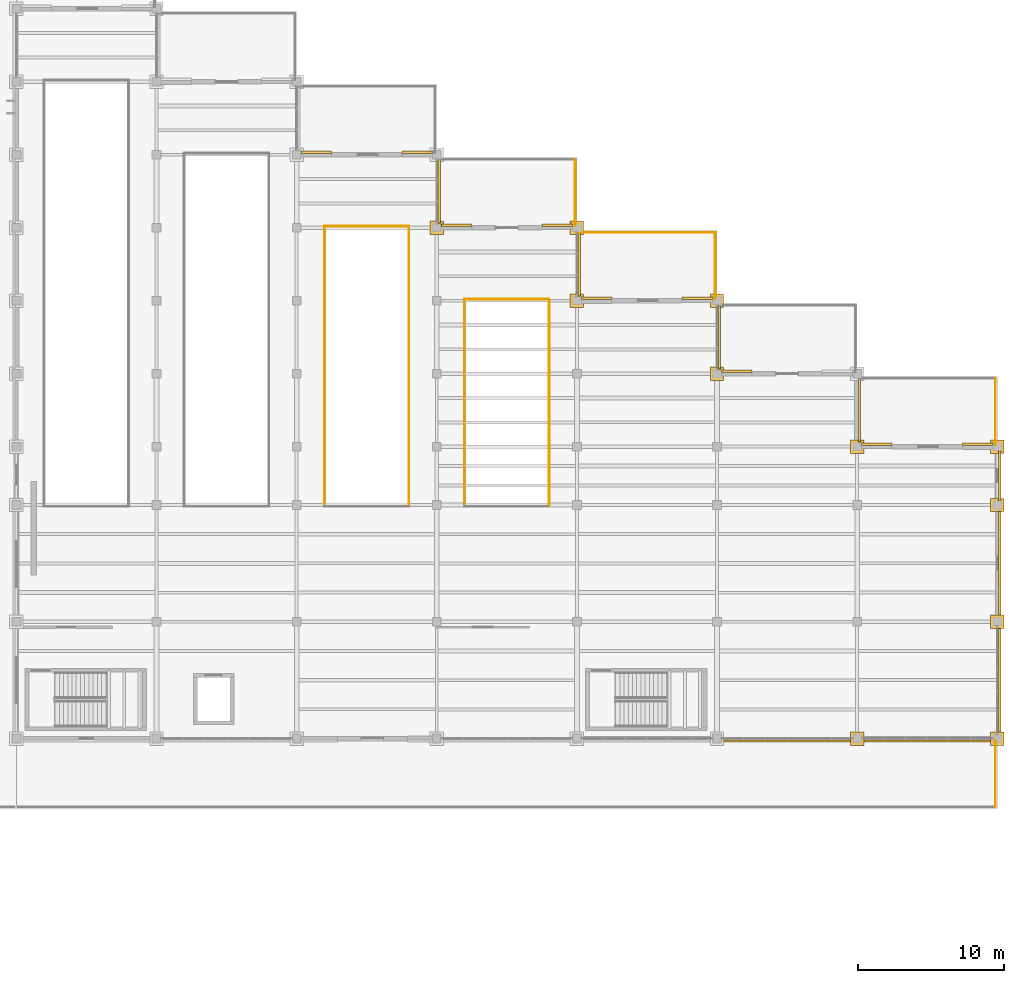
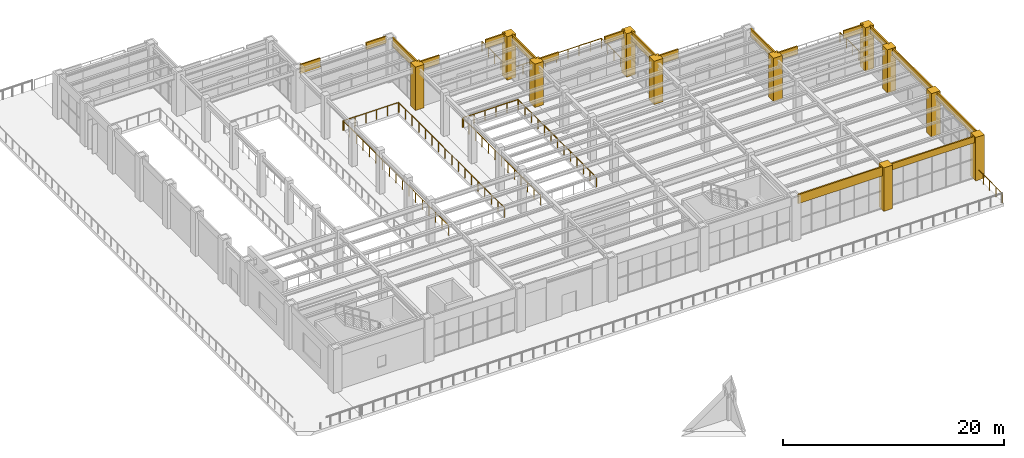
# One storey, part 82 of 83: 29 coverings, 11 railings.
"""IFC4 building model written with IfcOpenShell, lengths in metres."""

from ifc_helpers import new_model, si_unit, direction, frame, origin, origin_2d, place, context, subcontext, project, spatial, polyline, circle, outline, extrude, material, layer, layer_set, type_object, element, save


model = new_model("IFC4")

# Units and contexts
model_context = context("Model", 3, precision=1e-05, world=origin(), true_north=direction((0.0, 1.0)))
body_context = subcontext(model_context, "Body", "Model", "MODEL_VIEW")
ifc_project = project(units=[si_unit("LENGTHUNIT", "METRE"), si_unit("AREAUNIT", "SQUARE_METRE"), si_unit("VOLUMEUNIT", "CUBIC_METRE"), si_unit("PLANEANGLEUNIT", "RADIAN"), si_unit("MASSUNIT", "GRAM", prefix="KILO")], contexts=[model_context])

# Site, building, storey
site_placement = place(None, origin())
site = spatial("IfcSite", under=ifc_project, at=site_placement, CompositionType="ELEMENT")
building_placement = place(site_placement, origin())
building = spatial("IfcBuilding", under=site, at=building_placement, Name="Mavantir Sound Aquarium", CompositionType="ELEMENT")
storey_placement = place(building_placement, frame((0.0, 0.0, 10.5)))
storey = spatial("IfcBuildingStorey", under=building, at=storey_placement, Name="L02", CompositionType="ELEMENT", Elevation=10.5)

# Coverings
ifc_material_1 = material(Name="Honed Coral-Limestone & Glazed Terracotta Rainscreen Cladding", Category="masonry")
ifc_layer = layer(ifc_material_1, 0.06005859375, Name="Honed Coral-Limestone & Glazed Terracotta Rainscreen Cladding")
ifc_layer_set = layer_set([ifc_layer], Name="Honed Coral-Limestone & Glazed Terracotta Rainscreen Cladding")
covering_type = type_object("IfcCoveringType", Name="COV-CLAD-TC", PredefinedType="CLADDING", material=ifc_layer_set)
covering_1_placement = place(storey_placement, frame((0.0, 0.0, 3.93701171875)))
element("IfcCovering", 1, at=covering_1_placement, inside=storey, type_object=covering_type, Name="L02 Postmodern coral-limestone spandrel frieze 337", PredefinedType="CLADDING", context=body_context, shape_type="SweptSolid", body=[
    extrude(outline(polyline([(174.89208984375, 60.889892578125), (172.804931640625, 60.889892578125), (172.804931640625, 61.0400390625), (174.89208984375, 61.0400390625), (174.89208984375, 60.889892578125)])), origin(), (0.0, 0.0, 1.0), 0.863037109375),
])
covering_2_placement = place(storey_placement, frame((0.0, 0.0, 3.93701171875)))
element("IfcCovering", 2, at=covering_2_placement, inside=storey, type_object=covering_type, Name="L02 Postmodern coral-limestone spandrel frieze 338", PredefinedType="CLADDING", context=body_context, shape_type="SweptSolid", body=[
    extrude(outline(polyline([(167.9951171875, 60.889892578125), (165.907958984375, 60.889892578125), (165.907958984375, 61.0400390625), (167.9951171875, 61.0400390625), (167.9951171875, 60.889892578125)])), origin(), (0.0, 0.0, 1.0), 0.863037109375),
])
covering_3_placement = place(storey_placement, frame((0.0, 0.0, 3.93701171875)))
element("IfcCovering", 3, at=covering_3_placement, inside=storey, type_object=covering_type, Name="L02 Postmodern coral-limestone spandrel frieze 339", PredefinedType="CLADDING", context=body_context, shape_type="SweptSolid", body=[
    extrude(outline(polyline([(165.68994140625, 61.10791015625), (165.68994140625, 65.491943359375), (165.840087890625, 65.491943359375), (165.840087890625, 61.10791015625), (165.68994140625, 61.10791015625)])), origin(), (0.0, 0.0, 1.0), 0.863037109375),
])
covering_4_placement = place(storey_placement, frame((0.0, 0.0, 3.794921875)))
element("IfcCovering", 4, at=covering_4_placement, inside=storey, type_object=covering_type, Name="L02 Postmodern coral-limestone spandrel frieze 341", PredefinedType="CLADDING", context=body_context, shape_type="SweptSolid", body=[
    extrude(outline(polyline([(158.39501953125, 65.889892578125), (156.30810546875, 65.889892578125), (156.30810546875, 66.0400390625), (158.39501953125, 66.0400390625), (158.39501953125, 65.889892578125)])), origin(), (0.0, 0.0, 1.0), 1.005126953125),
])
covering_5_placement = place(storey_placement, frame((0.0, 0.0, 3.7939453125)))
element("IfcCovering", 5, at=covering_5_placement, inside=storey, type_object=covering_type, Name="L02 Postmodern coral-limestone spandrel frieze 342", PredefinedType="CLADDING", context=body_context, shape_type="SweptSolid", body=[
    extrude(outline(polyline([(156.090087890625, 66.10791015625), (156.090087890625, 70.491943359375), (156.239990234375, 70.491943359375), (156.239990234375, 66.10791015625), (156.090087890625, 66.10791015625)])), origin(), (0.0, 0.0, 1.0), 1.006103515625),
])
covering_6_placement = place(storey_placement, frame((0.0, 0.0, 4.04296875)))
element("IfcCovering", 6, at=covering_6_placement, inside=storey, type_object=covering_type, Name="L02 Postmodern coral-limestone spandrel frieze 343", PredefinedType="CLADDING", context=body_context, shape_type="SweptSolid", body=[
    extrude(outline(polyline([(155.69189453125, 70.889892578125), (153.60498046875, 70.889892578125), (153.60498046875, 71.0400390625), (155.69189453125, 71.0400390625), (155.69189453125, 70.889892578125)])), origin(), (0.0, 0.0, 1.0), 0.757080078125),
])
covering_7_placement = place(storey_placement, frame((0.0, 0.0, 4.04296875)))
element("IfcCovering", 7, at=covering_7_placement, inside=storey, type_object=covering_type, Name="L02 Postmodern coral-limestone spandrel frieze 344", PredefinedType="CLADDING", context=body_context, shape_type="SweptSolid", body=[
    extrude(outline(polyline([(148.794921875, 70.889892578125), (146.7080078125, 70.889892578125), (146.7080078125, 71.0400390625), (148.794921875, 71.0400390625), (148.794921875, 70.889892578125)])), origin(), (0.0, 0.0, 1.0), 0.757080078125),
])
covering_8_placement = place(storey_placement, frame((0.0, 0.0, 3.93701171875)))
element("IfcCovering", 8, at=covering_8_placement, inside=storey, type_object=covering_type, Name="L02 Postmodern coral-limestone spandrel frieze 345", PredefinedType="CLADDING", context=body_context, shape_type="SweptSolid", body=[
    extrude(outline(polyline([(146.489990234375, 71.10791015625), (146.489990234375, 75.491943359375), (146.639892578125, 75.491943359375), (146.639892578125, 71.10791015625), (146.489990234375, 71.10791015625)])), origin(), (0.0, 0.0, 1.0), 0.863037109375),
])
covering_9_placement = place(storey_placement, frame((0.0, 0.0, 3.862060546875)))
element("IfcCovering", 9, at=covering_9_placement, inside=storey, type_object=covering_type, Name="L02 Postmodern coral-limestone spandrel frieze 346", PredefinedType="CLADDING", context=body_context, shape_type="SweptSolid", body=[
    extrude(outline(polyline([(146.092041015625, 75.889892578125), (144.0048828125, 75.889892578125), (144.0048828125, 76.0400390625), (146.092041015625, 76.0400390625), (146.092041015625, 75.889892578125)])), origin(), (0.0, 0.0, 1.0), 0.93798828125),
])
covering_10_placement = place(storey_placement, frame((0.0, 0.0, 3.862060546875)))
element("IfcCovering", 10, at=covering_10_placement, inside=storey, type_object=covering_type, Name="L02 Postmodern coral-limestone spandrel frieze 347", PredefinedType="CLADDING", context=body_context, shape_type="SweptSolid", body=[
    extrude(outline(polyline([(139.195068359375, 75.889892578125), (137.10791015625, 75.889892578125), (137.10791015625, 76.0400390625), (139.195068359375, 76.0400390625), (139.195068359375, 75.889892578125)])), origin(), (0.0, 0.0, 1.0), 0.93798828125),
])
covering_11_placement = place(storey_placement, frame((0.0, 0.0, 3.7939453125)))
element("IfcCovering", 11, at=covering_11_placement, inside=storey, type_object=covering_type, Name="L02 Postmodern coral-limestone spandrel frieze 348", PredefinedType="CLADDING", context=body_context, shape_type="SweptSolid", body=[
    extrude(outline(polyline([(136.889892578125, 76.10791015625), (136.889892578125, 80.491943359375), (137.0400390625, 80.491943359375), (137.0400390625, 76.10791015625), (136.889892578125, 76.10791015625)])), origin(), (0.0, 0.0, 1.0), 1.006103515625),
])
covering_12_placement = place(storey_placement, frame((0.0, 0.0, 4.04296875)))
element("IfcCovering", 12, at=covering_12_placement, inside=storey, type_object=covering_type, Name="L02 Postmodern coral-limestone spandrel frieze 349", PredefinedType="CLADDING", context=body_context, shape_type="SweptSolid", body=[
    extrude(outline(polyline([(136.491943359375, 80.889892578125), (134.405029296875, 80.889892578125), (134.405029296875, 81.0400390625), (136.491943359375, 81.0400390625), (136.491943359375, 80.889892578125)])), origin(), (0.0, 0.0, 1.0), 0.757080078125),
])
covering_13_placement = place(storey_placement, frame((0.0, 0.0, 3.794921875)))
element("IfcCovering", 13, at=covering_13_placement, inside=storey, type_object=covering_type, Name="L02 Postmodern coral-limestone spandrel frieze 350", PredefinedType="CLADDING", context=body_context, shape_type="SweptSolid", body=[
    extrude(outline(polyline([(129.594970703125, 80.889892578125), (127.508056640625, 80.889892578125), (127.508056640625, 81.0400390625), (129.594970703125, 81.0400390625), (129.594970703125, 80.889892578125)])), origin(), (0.0, 0.0, 1.0), 1.005126953125),
])
covering_14_placement = place(storey_placement, frame((0.0, 0.0, 3.794921875)))
element("IfcCovering", 14, at=covering_14_placement, inside=storey, type_object=covering_type, Name="L02 Postmodern coral-limestone spandrel frieze 371", PredefinedType="CLADDING", context=body_context, shape_type="SweptSolid", body=[
    extrude(outline(polyline([(156.30810546875, 40.7099609375), (165.2919921875, 40.7099609375), (165.2919921875, 40.56005859375), (156.30810546875, 40.56005859375), (156.30810546875, 40.7099609375)])), origin(), (0.0, 0.0, 1.0), 1.005126953125),
])
covering_15_placement = place(storey_placement, frame((0.0, 0.0, 4.097900390625)))
element("IfcCovering", 15, at=covering_15_placement, inside=storey, type_object=covering_type, Name="L02 Postmodern coral-limestone spandrel frieze 372", PredefinedType="CLADDING", context=body_context, shape_type="SweptSolid", body=[
    extrude(outline(polyline([(165.907958984375, 40.7099609375), (174.89208984375, 40.7099609375), (174.89208984375, 40.56005859375), (165.907958984375, 40.56005859375), (165.907958984375, 40.7099609375)])), origin(), (0.0, 0.0, 1.0), 0.7021484375),
])
covering_16_placement = place(storey_placement, frame((0.0, 0.0, 3.989013671875)))
element("IfcCovering", 16, at=covering_16_placement, inside=storey, type_object=covering_type, Name="L02 Postmodern coral-limestone spandrel frieze 373", PredefinedType="CLADDING", context=body_context, shape_type="SweptSolid", body=[
    extrude(outline(polyline([(175.2900390625, 41.10791015625), (175.2900390625, 48.491943359375), (175.43994140625, 48.491943359375), (175.43994140625, 41.10791015625), (175.2900390625, 41.10791015625)])), origin(), (0.0, 0.0, 1.0), 0.81103515625),
])
covering_17_placement = place(storey_placement, frame((0.0, 0.0, 3.989013671875)))
element("IfcCovering", 17, at=covering_17_placement, inside=storey, type_object=covering_type, Name="L02 Postmodern coral-limestone spandrel frieze 374", PredefinedType="CLADDING", context=body_context, shape_type="SweptSolid", body=[
    extrude(outline(polyline([(175.2900390625, 49.10791015625), (175.2900390625, 56.491943359375), (175.43994140625, 56.491943359375), (175.43994140625, 49.10791015625), (175.2900390625, 49.10791015625)])), origin(), (0.0, 0.0, 1.0), 0.81103515625),
])
covering_18_placement = place(storey_placement, frame((0.0, 0.0, 3.989013671875)))
element("IfcCovering", 18, at=covering_18_placement, inside=storey, type_object=covering_type, Name="L02 Postmodern coral-limestone spandrel frieze 375", PredefinedType="CLADDING", context=body_context, shape_type="SweptSolid", body=[
    extrude(outline(polyline([(175.2900390625, 57.10791015625), (175.2900390625, 60.491943359375), (175.43994140625, 60.491943359375), (175.43994140625, 57.10791015625), (175.2900390625, 57.10791015625)])), origin(), (0.0, 0.0, 1.0), 0.81103515625),
])
covering_19_placement = place(storey_placement, origin())
element("IfcCovering", 19, at=covering_19_placement, inside=storey, type_object=covering_type, Name="L02 Postmodern coral-limestone pilaster casing 279", PredefinedType="CLADDING", context=body_context, shape_type="SweptSolid", body=[
    extrude(outline(polyline([(136.340087890625, 75.340087890625), (137.260009765625, 75.340087890625), (137.260009765625, 76.260009765625), (136.340087890625, 76.260009765625), (136.340087890625, 75.340087890625)])), origin(), (0.0, 0.0, 1.0), 4.800048828125),
])
covering_20_placement = place(storey_placement, origin())
element("IfcCovering", 20, at=covering_20_placement, inside=storey, type_object=covering_type, Name="L02 Postmodern coral-limestone pilaster casing 291", PredefinedType="CLADDING", context=body_context, shape_type="SweptSolid", body=[
    extrude(outline(polyline([(145.93994140625, 70.340087890625), (146.860107421875, 70.340087890625), (146.860107421875, 71.260009765625), (145.93994140625, 71.260009765625), (145.93994140625, 70.340087890625)])), origin(), (0.0, 0.0, 1.0), 4.800048828125),
])
covering_21_placement = place(storey_placement, origin())
element("IfcCovering", 21, at=covering_21_placement, inside=storey, type_object=covering_type, Name="L02 Postmodern coral-limestone pilaster casing 295", PredefinedType="CLADDING", context=body_context, shape_type="SweptSolid", body=[
    extrude(outline(polyline([(145.93994140625, 75.340087890625), (146.860107421875, 75.340087890625), (146.860107421875, 76.260009765625), (145.93994140625, 76.260009765625), (145.93994140625, 75.340087890625)])), origin(), (0.0, 0.0, 1.0), 4.800048828125),
])
covering_22_placement = place(storey_placement, origin())
element("IfcCovering", 22, at=covering_22_placement, inside=storey, type_object=covering_type, Name="L02 Postmodern coral-limestone pilaster casing 303", PredefinedType="CLADDING", context=body_context, shape_type="SweptSolid", body=[
    extrude(outline(polyline([(155.5400390625, 65.340087890625), (156.4599609375, 65.340087890625), (156.4599609375, 66.260009765625), (155.5400390625, 66.260009765625), (155.5400390625, 65.340087890625)])), origin(), (0.0, 0.0, 1.0), 4.800048828125),
])
covering_23_placement = place(storey_placement, origin())
element("IfcCovering", 23, at=covering_23_placement, inside=storey, type_object=covering_type, Name="L02 Postmodern coral-limestone pilaster casing 307", PredefinedType="CLADDING", context=body_context, shape_type="SweptSolid", body=[
    extrude(outline(polyline([(155.5400390625, 70.340087890625), (156.4599609375, 70.340087890625), (156.4599609375, 71.260009765625), (155.5400390625, 71.260009765625), (155.5400390625, 70.340087890625)])), origin(), (0.0, 0.0, 1.0), 4.800048828125),
])
covering_24_placement = place(storey_placement, origin())
element("IfcCovering", 24, at=covering_24_placement, inside=storey, type_object=covering_type, Name="L02 Postmodern coral-limestone pilaster casing 313", PredefinedType="CLADDING", context=body_context, shape_type="SweptSolid", body=[
    extrude(outline(polyline([(165.139892578125, 40.340087890625), (166.06005859375, 40.340087890625), (166.06005859375, 41.260009765625), (165.139892578125, 41.260009765625), (165.139892578125, 40.340087890625)])), origin(), (0.0, 0.0, 1.0), 4.800048828125),
])
covering_25_placement = place(storey_placement, origin())
element("IfcCovering", 25, at=covering_25_placement, inside=storey, type_object=covering_type, Name="L02 Postmodern coral-limestone pilaster casing 315", PredefinedType="CLADDING", context=body_context, shape_type="SweptSolid", body=[
    extrude(outline(polyline([(165.139892578125, 60.340087890625), (166.06005859375, 60.340087890625), (166.06005859375, 61.260009765625), (165.139892578125, 61.260009765625), (165.139892578125, 60.340087890625)])), origin(), (0.0, 0.0, 1.0), 4.800048828125),
])
covering_26_placement = place(storey_placement, origin())
element("IfcCovering", 26, at=covering_26_placement, inside=storey, type_object=covering_type, Name="L02 Postmodern coral-limestone pilaster casing 327", PredefinedType="CLADDING", context=body_context, shape_type="SweptSolid", body=[
    extrude(outline(polyline([(174.739990234375, 40.340087890625), (175.659912109375, 40.340087890625), (175.659912109375, 41.260009765625), (174.739990234375, 41.260009765625), (174.739990234375, 40.340087890625)])), origin(), (0.0, 0.0, 1.0), 4.800048828125),
])
covering_27_placement = place(storey_placement, origin())
element("IfcCovering", 27, at=covering_27_placement, inside=storey, type_object=covering_type, Name="L02 Postmodern coral-limestone pilaster casing 331", PredefinedType="CLADDING", context=body_context, shape_type="SweptSolid", body=[
    extrude(outline(polyline([(174.739990234375, 48.340087890625), (175.659912109375, 48.340087890625), (175.659912109375, 49.260009765625), (174.739990234375, 49.260009765625), (174.739990234375, 48.340087890625)])), origin(), (0.0, 0.0, 1.0), 4.800048828125),
])
covering_28_placement = place(storey_placement, origin())
element("IfcCovering", 28, at=covering_28_placement, inside=storey, type_object=covering_type, Name="L02 Postmodern coral-limestone pilaster casing 335", PredefinedType="CLADDING", context=body_context, shape_type="SweptSolid", body=[
    extrude(outline(polyline([(174.739990234375, 56.340087890625), (175.659912109375, 56.340087890625), (175.659912109375, 57.260009765625), (174.739990234375, 57.260009765625), (174.739990234375, 56.340087890625)])), origin(), (0.0, 0.0, 1.0), 4.800048828125),
])
covering_29_placement = place(storey_placement, origin())
element("IfcCovering", 29, at=covering_29_placement, inside=storey, type_object=covering_type, Name="L02 Postmodern coral-limestone pilaster casing 339", PredefinedType="CLADDING", context=body_context, shape_type="SweptSolid", body=[
    extrude(outline(polyline([(174.739990234375, 60.340087890625), (175.659912109375, 60.340087890625), (175.659912109375, 61.260009765625), (174.739990234375, 61.260009765625), (174.739990234375, 60.340087890625)])), origin(), (0.0, 0.0, 1.0), 4.800048828125),
])

# Railings
ifc_material_2 = material(Name="Stainless Steel 316 and Laminated Glass Guardrail", Category="steel")
railing_type = type_object("IfcRailingType", Name="RL-GUARD-110", PredefinedType="GUARDRAIL", material=ifc_material_2)
railing_1_placement = place(storey_placement, frame((175.080078125, 36.1201171875, 0.0)))
element("IfcRailing", 30, at=railing_1_placement, inside=storey, type_object=railing_type, Name="L02 terrace E guardrail 40", PredefinedType="GUARDRAIL", context=body_context, shape_type="SweptSolid", body=[
    extrude(circle(Radius=0.02392578125, at=origin_2d()), frame((0.0, 0.0, 1.076171875), z_axis=(0.0, 1.0, 0.0), x_axis=(-1.0, 0.0, 0.0)), (0.0, 0.0, 1.0), 4.559814453125),
    extrude(circle(Radius=0.02099609375, at=origin_2d()), origin(), (0.0, 0.0, 1.0), 1.052001953125),
    extrude(circle(Radius=0.02099609375, at=origin_2d()), frame((0.0, 1.139892578125, 0.0)), (0.0, 0.0, 1.0), 1.052001953125),
    extrude(circle(Radius=0.02099609375, at=origin_2d()), frame((0.0, 2.27978515625, 0.0)), (0.0, 0.0, 1.0), 1.052001953125),
    extrude(circle(Radius=0.02099609375, at=origin_2d()), frame((0.0, 3.419921875, 0.0)), (0.0, 0.0, 1.0), 1.052001953125),
    extrude(circle(Radius=0.02099609375, at=origin_2d()), frame((0.0, 4.559814453125, 0.0)), (0.0, 0.0, 1.0), 1.052001953125),
])
railing_2_placement = place(storey_placement, frame((146.280029296875, 75.919921875, 0.0)))
element("IfcRailing", 31, at=railing_2_placement, inside=storey, type_object=railing_type, Name="L02 terrace E guardrail 48", PredefinedType="GUARDRAIL", context=body_context, shape_type="SweptSolid", body=[
    extrude(circle(Radius=0.02392578125, at=origin_2d()), frame((0.0, 0.0, 1.076171875), z_axis=(0.0, 1.0, 0.0), x_axis=(-1.0, 0.0, 0.0)), (0.0, 0.0, 1.0), 4.56005859375),
    extrude(circle(Radius=0.02099609375, at=origin_2d()), origin(), (0.0, 0.0, 1.0), 1.052001953125),
    extrude(circle(Radius=0.02099609375, at=origin_2d()), frame((0.0, 1.14013671875, 0.0)), (0.0, 0.0, 1.0), 1.052001953125),
    extrude(circle(Radius=0.02099609375, at=origin_2d()), frame((0.0, 2.280029296875, 0.0)), (0.0, 0.0, 1.0), 1.052001953125),
    extrude(circle(Radius=0.02099609375, at=origin_2d()), frame((0.0, 3.419921875, 0.0)), (0.0, 0.0, 1.0), 1.052001953125),
    extrude(circle(Radius=0.02099609375, at=origin_2d()), frame((0.0, 4.56005859375, 0.0)), (0.0, 0.0, 1.0), 1.052001953125),
])
railing_3_placement = place(storey_placement, frame((146.52001953125, 75.47998046875, 0.0)))
element("IfcRailing", 32, at=railing_3_placement, inside=storey, type_object=railing_type, Name="L02 terrace N guardrail 49", PredefinedType="GUARDRAIL", context=body_context, shape_type="SweptSolid", body=[
    extrude(circle(Radius=0.02392578125, at=origin_2d()), frame((0.0, 0.0, 1.076171875), z_axis=(1.0, 0.0, 0.0), x_axis=(0.0, 1.0, 0.0)), (0.0, 0.0, 1.0), 9.35986328125),
    extrude(circle(Radius=0.02099609375, at=origin_2d()), origin(), (0.0, 0.0, 1.0), 1.052001953125),
    extrude(circle(Radius=0.02099609375, at=origin_2d()), frame((1.169921875, 0.0, 0.0)), (0.0, 0.0, 1.0), 1.052001953125),
    extrude(circle(Radius=0.02099609375, at=origin_2d()), frame((2.33984375, 0.0, 0.0)), (0.0, 0.0, 1.0), 1.052001953125),
    extrude(circle(Radius=0.02099609375, at=origin_2d()), frame((3.510009765625, 0.0, 0.0)), (0.0, 0.0, 1.0), 1.052001953125),
    extrude(circle(Radius=0.02099609375, at=origin_2d()), frame((4.679931640625, 0.0, 0.0)), (0.0, 0.0, 1.0), 1.052001953125),
    extrude(circle(Radius=0.02099609375, at=origin_2d()), frame((5.849853515625, 0.0, 0.0)), (0.0, 0.0, 1.0), 1.052001953125),
    extrude(circle(Radius=0.02099609375, at=origin_2d()), frame((7.02001953125, 0.0, 0.0)), (0.0, 0.0, 1.0), 1.052001953125),
    extrude(circle(Radius=0.02099609375, at=origin_2d()), frame((8.18994140625, 0.0, 0.0)), (0.0, 0.0, 1.0), 1.052001953125),
    extrude(circle(Radius=0.02099609375, at=origin_2d()), frame((9.35986328125, 0.0, 0.0)), (0.0, 0.0, 1.0), 1.052001953125),
])
for number, where, name in (
    (33, (155.8798828125, 70.919921875, 0.0), "L02 terrace E guardrail 50"),
    (34, (175.080078125, 60.919921875, 0.0), "L02 terrace E guardrail 54"),
):
    element("IfcRailing", number, at=place(storey_placement, frame(where)), inside=storey, type_object=railing_type, Name=name, PredefinedType="GUARDRAIL", context=body_context, shape_type="SweptSolid", body=[
        extrude(circle(Radius=0.02392578125, at=origin_2d()), frame((0.0, 0.0, 1.076171875), z_axis=(0.0, 1.0, 0.0), x_axis=(-1.0, 0.0, 0.0)), (0.0, 0.0, 1.0), 4.56005859375),
        extrude(circle(Radius=0.02099609375, at=origin_2d()), origin(), (0.0, 0.0, 1.0), 1.052001953125),
        extrude(circle(Radius=0.02099609375, at=origin_2d()), frame((0.0, 1.14013671875, 0.0)), (0.0, 0.0, 1.0), 1.052001953125),
        extrude(circle(Radius=0.02099609375, at=origin_2d()), frame((0.0, 2.280029296875, 0.0)), (0.0, 0.0, 1.0), 1.052001953125),
        extrude(circle(Radius=0.02099609375, at=origin_2d()), frame((0.0, 3.419921875, 0.0)), (0.0, 0.0, 1.0), 1.052001953125),
        extrude(circle(Radius=0.02099609375, at=origin_2d()), frame((0.0, 4.56005859375, 0.0)), (0.0, 0.0, 1.0), 1.052001953125),
    ])
railing_4_placement = place(storey_placement, frame((134.89990234375, 56.699951171875, 0.0)))
element("IfcRailing", 35, at=railing_4_placement, inside=storey, type_object=railing_type, Name="L02 atrium void E guardrail 136", PredefinedType="GUARDRAIL", context=body_context, shape_type="SweptSolid", body=[
    extrude(circle(Radius=0.02392578125, at=origin_2d()), frame((0.0, 0.0, 1.076171875), z_axis=(0.0, 1.0, 0.0), x_axis=(-1.0, 0.0, 0.0)), (0.0, 0.0, 1.0), 19.1201171875),
    extrude(circle(Radius=0.02099609375, at=origin_2d()), origin(), (0.0, 0.0, 1.0), 1.052001953125),
    extrude(circle(Radius=0.02099609375, at=origin_2d()), frame((0.0, 1.195068359375, 0.0)), (0.0, 0.0, 1.0), 1.052001953125),
    extrude(circle(Radius=0.02099609375, at=origin_2d()), frame((0.0, 2.39013671875, 0.0)), (0.0, 0.0, 1.0), 1.052001953125),
    extrude(circle(Radius=0.02099609375, at=origin_2d()), frame((0.0, 3.5849609375, 0.0)), (0.0, 0.0, 1.0), 1.052001953125),
    extrude(circle(Radius=0.02099609375, at=origin_2d()), frame((0.0, 4.780029296875, 0.0)), (0.0, 0.0, 1.0), 1.052001953125),
    extrude(circle(Radius=0.02099609375, at=origin_2d()), frame((0.0, 5.97509765625, 0.0)), (0.0, 0.0, 1.0), 1.052001953125),
    extrude(circle(Radius=0.02099609375, at=origin_2d()), frame((0.0, 7.169921875, 0.0)), (0.0, 0.0, 1.0), 1.052001953125),
    extrude(circle(Radius=0.02099609375, at=origin_2d()), frame((0.0, 8.364990234375, 0.0)), (0.0, 0.0, 1.0), 1.052001953125),
    extrude(circle(Radius=0.02099609375, at=origin_2d()), frame((0.0, 9.56005859375, 0.0)), (0.0, 0.0, 1.0), 1.052001953125),
    extrude(circle(Radius=0.02099609375, at=origin_2d()), frame((0.0, 10.755126953125, 0.0)), (0.0, 0.0, 1.0), 1.052001953125),
    extrude(circle(Radius=0.02099609375, at=origin_2d()), frame((0.0, 11.9501953125, 0.0)), (0.0, 0.0, 1.0), 1.052001953125),
    extrude(circle(Radius=0.02099609375, at=origin_2d()), frame((0.0, 13.14501953125, 0.0)), (0.0, 0.0, 1.0), 1.052001953125),
    extrude(circle(Radius=0.02099609375, at=origin_2d()), frame((0.0, 14.340087890625, 0.0)), (0.0, 0.0, 1.0), 1.052001953125),
    extrude(circle(Radius=0.02099609375, at=origin_2d()), frame((0.0, 15.53515625, 0.0)), (0.0, 0.0, 1.0), 1.052001953125),
    extrude(circle(Radius=0.02099609375, at=origin_2d()), frame((0.0, 16.72998046875, 0.0)), (0.0, 0.0, 1.0), 1.052001953125),
    extrude(circle(Radius=0.02099609375, at=origin_2d()), frame((0.0, 17.925048828125, 0.0)), (0.0, 0.0, 1.0), 1.052001953125),
    extrude(circle(Radius=0.02099609375, at=origin_2d()), frame((0.0, 19.1201171875, 0.0)), (0.0, 0.0, 1.0), 1.052001953125),
])
railing_5_placement = place(storey_placement, frame((134.89990234375, 75.89990234375, 0.0)))
element("IfcRailing", 36, at=railing_5_placement, inside=storey, type_object=railing_type, Name="L02 atrium void N guardrail 137", PredefinedType="GUARDRAIL", context=body_context, shape_type="SweptSolid", body=[
    extrude(circle(Radius=0.02392578125, at=origin_2d()), frame((0.0, 0.0, 1.076171875), z_axis=(-1.0, 0.0, 0.0), x_axis=(0.0, -1.0, 0.0)), (0.0, 0.0, 1.0), 5.719970703125),
    extrude(circle(Radius=0.02099609375, at=origin_2d()), origin(), (0.0, 0.0, 1.0), 1.052001953125),
    extrude(circle(Radius=0.02099609375, at=origin_2d()), frame((-1.14404296875, 0.0, 0.0)), (0.0, 0.0, 1.0), 1.052001953125),
    extrude(circle(Radius=0.02099609375, at=origin_2d()), frame((-2.2880859375, 0.0, 0.0)), (0.0, 0.0, 1.0), 1.052001953125),
    extrude(circle(Radius=0.02099609375, at=origin_2d()), frame((-3.431884765625, 0.0, 0.0)), (0.0, 0.0, 1.0), 1.052001953125),
    extrude(circle(Radius=0.02099609375, at=origin_2d()), frame((-4.575927734375, 0.0, 0.0)), (0.0, 0.0, 1.0), 1.052001953125),
    extrude(circle(Radius=0.02099609375, at=origin_2d()), frame((-5.719970703125, 0.0, 0.0)), (0.0, 0.0, 1.0), 1.052001953125),
])
railing_6_placement = place(storey_placement, frame((129.10009765625, 75.89990234375, 0.0)))
element("IfcRailing", 37, at=railing_6_placement, inside=storey, type_object=railing_type, Name="L02 atrium void W guardrail 138", PredefinedType="GUARDRAIL", context=body_context, shape_type="SweptSolid", body=[
    extrude(circle(Radius=0.02392578125, at=origin_2d()), frame((0.0, 0.0, 1.076171875), z_axis=(0.0, -1.0, 0.0), x_axis=(1.0, 0.0, 0.0)), (0.0, 0.0, 1.0), 19.119873046875),
    extrude(circle(Radius=0.02099609375, at=origin_2d()), origin(), (0.0, 0.0, 1.0), 1.052001953125),
    extrude(circle(Radius=0.02099609375, at=origin_2d()), frame((0.0, -1.195068359375, 0.0)), (0.0, 0.0, 1.0), 1.052001953125),
    extrude(circle(Radius=0.02099609375, at=origin_2d()), frame((0.0, -2.389892578125, 0.0)), (0.0, 0.0, 1.0), 1.052001953125),
    extrude(circle(Radius=0.02099609375, at=origin_2d()), frame((0.0, -3.5849609375, 0.0)), (0.0, 0.0, 1.0), 1.052001953125),
    extrude(circle(Radius=0.02099609375, at=origin_2d()), frame((0.0, -4.780029296875, 0.0)), (0.0, 0.0, 1.0), 1.052001953125),
    extrude(circle(Radius=0.02099609375, at=origin_2d()), frame((0.0, -5.974853515625, 0.0)), (0.0, 0.0, 1.0), 1.052001953125),
    extrude(circle(Radius=0.02099609375, at=origin_2d()), frame((0.0, -7.169921875, 0.0)), (0.0, 0.0, 1.0), 1.052001953125),
    extrude(circle(Radius=0.02099609375, at=origin_2d()), frame((0.0, -8.364990234375, 0.0)), (0.0, 0.0, 1.0), 1.052001953125),
    extrude(circle(Radius=0.02099609375, at=origin_2d()), frame((0.0, -9.56005859375, 0.0)), (0.0, 0.0, 1.0), 1.052001953125),
    extrude(circle(Radius=0.02099609375, at=origin_2d()), frame((0.0, -10.7548828125, 0.0)), (0.0, 0.0, 1.0), 1.052001953125),
    extrude(circle(Radius=0.02099609375, at=origin_2d()), frame((0.0, -11.949951171875, 0.0)), (0.0, 0.0, 1.0), 1.052001953125),
    extrude(circle(Radius=0.02099609375, at=origin_2d()), frame((0.0, -13.14501953125, 0.0)), (0.0, 0.0, 1.0), 1.052001953125),
    extrude(circle(Radius=0.02099609375, at=origin_2d()), frame((0.0, -14.33984375, 0.0)), (0.0, 0.0, 1.0), 1.052001953125),
    extrude(circle(Radius=0.02099609375, at=origin_2d()), frame((0.0, -15.534912109375, 0.0)), (0.0, 0.0, 1.0), 1.052001953125),
    extrude(circle(Radius=0.02099609375, at=origin_2d()), frame((0.0, -16.72998046875, 0.0)), (0.0, 0.0, 1.0), 1.052001953125),
    extrude(circle(Radius=0.02099609375, at=origin_2d()), frame((0.0, -17.9248046875, 0.0)), (0.0, 0.0, 1.0), 1.052001953125),
    extrude(circle(Radius=0.02099609375, at=origin_2d()), frame((0.0, -19.119873046875, 0.0)), (0.0, 0.0, 1.0), 1.052001953125),
])
railing_7_placement = place(storey_placement, frame((144.5, 56.699951171875, 0.0)))
element("IfcRailing", 38, at=railing_7_placement, inside=storey, type_object=railing_type, Name="L02 atrium void E guardrail 140", PredefinedType="GUARDRAIL", context=body_context, shape_type="SweptSolid", body=[
    extrude(circle(Radius=0.02392578125, at=origin_2d()), frame((0.0, 0.0, 1.076171875), z_axis=(0.0, 1.0, 0.0), x_axis=(-1.0, 0.0, 0.0)), (0.0, 0.0, 1.0), 14.1201171875),
    extrude(circle(Radius=0.02099609375, at=origin_2d()), origin(), (0.0, 0.0, 1.0), 1.052001953125),
    extrude(circle(Radius=0.02099609375, at=origin_2d()), frame((0.0, 1.1767578125, 0.0)), (0.0, 0.0, 1.0), 1.052001953125),
    extrude(circle(Radius=0.02099609375, at=origin_2d()), frame((0.0, 2.353271484375, 0.0)), (0.0, 0.0, 1.0), 1.052001953125),
    extrude(circle(Radius=0.02099609375, at=origin_2d()), frame((0.0, 3.530029296875, 0.0)), (0.0, 0.0, 1.0), 1.052001953125),
    extrude(circle(Radius=0.02099609375, at=origin_2d()), frame((0.0, 4.706787109375, 0.0)), (0.0, 0.0, 1.0), 1.052001953125),
    extrude(circle(Radius=0.02099609375, at=origin_2d()), frame((0.0, 5.88330078125, 0.0)), (0.0, 0.0, 1.0), 1.052001953125),
    extrude(circle(Radius=0.02099609375, at=origin_2d()), frame((0.0, 7.06005859375, 0.0)), (0.0, 0.0, 1.0), 1.052001953125),
    extrude(circle(Radius=0.02099609375, at=origin_2d()), frame((0.0, 8.23681640625, 0.0)), (0.0, 0.0, 1.0), 1.052001953125),
    extrude(circle(Radius=0.02099609375, at=origin_2d()), frame((0.0, 9.413330078125, 0.0)), (0.0, 0.0, 1.0), 1.052001953125),
    extrude(circle(Radius=0.02099609375, at=origin_2d()), frame((0.0, 10.590087890625, 0.0)), (0.0, 0.0, 1.0), 1.052001953125),
    extrude(circle(Radius=0.02099609375, at=origin_2d()), frame((0.0, 11.766845703125, 0.0)), (0.0, 0.0, 1.0), 1.052001953125),
    extrude(circle(Radius=0.02099609375, at=origin_2d()), frame((0.0, 12.943359375, 0.0)), (0.0, 0.0, 1.0), 1.052001953125),
    extrude(circle(Radius=0.02099609375, at=origin_2d()), frame((0.0, 14.1201171875, 0.0)), (0.0, 0.0, 1.0), 1.052001953125),
])
railing_8_placement = place(storey_placement, frame((144.5, 70.89990234375, 0.0)))
element("IfcRailing", 39, at=railing_8_placement, inside=storey, type_object=railing_type, Name="L02 atrium void N guardrail 141", PredefinedType="GUARDRAIL", context=body_context, shape_type="SweptSolid", body=[
    extrude(circle(Radius=0.02392578125, at=origin_2d()), frame((0.0, 0.0, 1.076171875), z_axis=(-1.0, 0.0, 0.0), x_axis=(0.0, -1.0, 0.0)), (0.0, 0.0, 1.0), 5.719970703125),
    extrude(circle(Radius=0.02099609375, at=origin_2d()), origin(), (0.0, 0.0, 1.0), 1.052001953125),
    extrude(circle(Radius=0.02099609375, at=origin_2d()), frame((-1.14404296875, 0.0, 0.0)), (0.0, 0.0, 1.0), 1.052001953125),
    extrude(circle(Radius=0.02099609375, at=origin_2d()), frame((-2.2880859375, 0.0, 0.0)), (0.0, 0.0, 1.0), 1.052001953125),
    extrude(circle(Radius=0.02099609375, at=origin_2d()), frame((-3.431884765625, 0.0, 0.0)), (0.0, 0.0, 1.0), 1.052001953125),
    extrude(circle(Radius=0.02099609375, at=origin_2d()), frame((-4.575927734375, 0.0, 0.0)), (0.0, 0.0, 1.0), 1.052001953125),
    extrude(circle(Radius=0.02099609375, at=origin_2d()), frame((-5.719970703125, 0.0, 0.0)), (0.0, 0.0, 1.0), 1.052001953125),
])
railing_9_placement = place(storey_placement, frame((138.699951171875, 70.89990234375, 0.0)))
element("IfcRailing", 40, at=railing_9_placement, inside=storey, type_object=railing_type, Name="L02 atrium void W guardrail 142", PredefinedType="GUARDRAIL", context=body_context, shape_type="SweptSolid", body=[
    extrude(circle(Radius=0.02392578125, at=origin_2d()), frame((0.0, 0.0, 1.076171875), z_axis=(0.0, -1.0, 0.0), x_axis=(1.0, 0.0, 0.0)), (0.0, 0.0, 1.0), 14.119873046875),
    extrude(circle(Radius=0.02099609375, at=origin_2d()), origin(), (0.0, 0.0, 1.0), 1.052001953125),
    extrude(circle(Radius=0.02099609375, at=origin_2d()), frame((0.0, -1.1767578125, 0.0)), (0.0, 0.0, 1.0), 1.052001953125),
    extrude(circle(Radius=0.02099609375, at=origin_2d()), frame((0.0, -2.353271484375, 0.0)), (0.0, 0.0, 1.0), 1.052001953125),
    extrude(circle(Radius=0.02099609375, at=origin_2d()), frame((0.0, -3.530029296875, 0.0)), (0.0, 0.0, 1.0), 1.052001953125),
    extrude(circle(Radius=0.02099609375, at=origin_2d()), frame((0.0, -4.70654296875, 0.0)), (0.0, 0.0, 1.0), 1.052001953125),
    extrude(circle(Radius=0.02099609375, at=origin_2d()), frame((0.0, -5.88330078125, 0.0)), (0.0, 0.0, 1.0), 1.052001953125),
    extrude(circle(Radius=0.02099609375, at=origin_2d()), frame((0.0, -7.06005859375, 0.0)), (0.0, 0.0, 1.0), 1.052001953125),
    extrude(circle(Radius=0.02099609375, at=origin_2d()), frame((0.0, -8.236572265625, 0.0)), (0.0, 0.0, 1.0), 1.052001953125),
    extrude(circle(Radius=0.02099609375, at=origin_2d()), frame((0.0, -9.413330078125, 0.0)), (0.0, 0.0, 1.0), 1.052001953125),
    extrude(circle(Radius=0.02099609375, at=origin_2d()), frame((0.0, -10.58984375, 0.0)), (0.0, 0.0, 1.0), 1.052001953125),
    extrude(circle(Radius=0.02099609375, at=origin_2d()), frame((0.0, -11.7666015625, 0.0)), (0.0, 0.0, 1.0), 1.052001953125),
    extrude(circle(Radius=0.02099609375, at=origin_2d()), frame((0.0, -12.943115234375, 0.0)), (0.0, 0.0, 1.0), 1.052001953125),
    extrude(circle(Radius=0.02099609375, at=origin_2d()), frame((0.0, -14.119873046875, 0.0)), (0.0, 0.0, 1.0), 1.052001953125),
])

save(model, "model.ifc")
